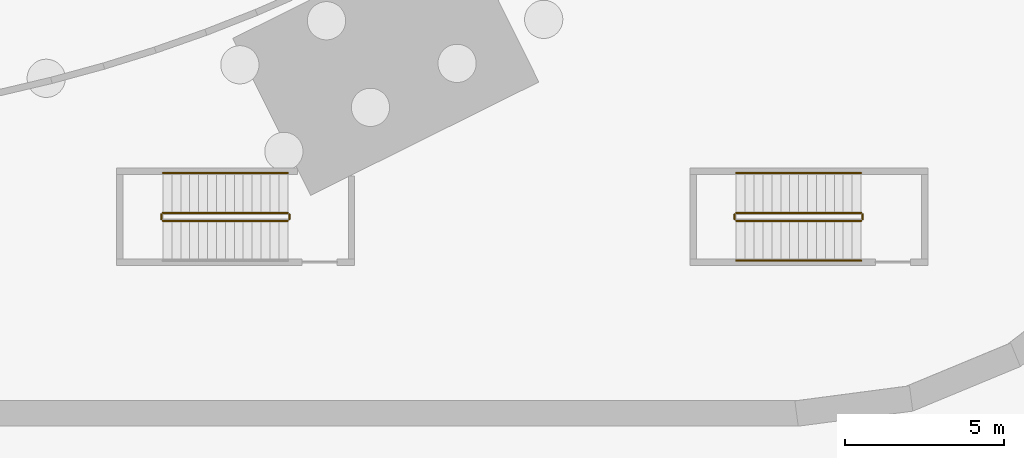
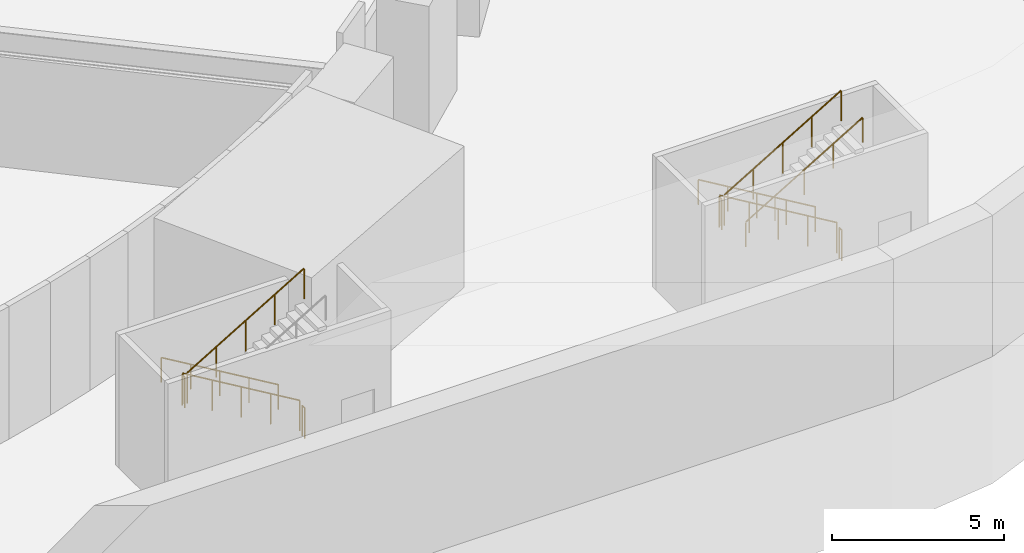
# One storey, part 11 of 14: 11 railings.
"""IFC4 building model written with IfcOpenShell, lengths in metres."""

from ifc_helpers import new_model, si_unit, direction, frame, origin, origin_2d, place, context, subcontext, project, spatial, circle, extrude, source, transform, mapped, material, type_object, element, save


model = new_model("IFC4")

# Units and contexts
model_context = context("Model", 3, precision=1e-05, world=origin(), true_north=direction((0.0, 1.0)))
body_context = subcontext(model_context, "Body", "Model", "MODEL_VIEW")
ifc_project = project(units=[si_unit("LENGTHUNIT", "METRE"), si_unit("AREAUNIT", "SQUARE_METRE"), si_unit("VOLUMEUNIT", "CUBIC_METRE"), si_unit("PLANEANGLEUNIT", "RADIAN"), si_unit("MASSUNIT", "GRAM", prefix="KILO")], contexts=[model_context])

# Site, building, storey
site_placement = place(None, origin())
site = spatial("IfcSite", under=ifc_project, at=site_placement, CompositionType="ELEMENT")
building_placement = place(site_placement, origin())
building = spatial("IfcBuilding", under=site, at=building_placement, Name="Embergate Tower", CompositionType="ELEMENT")
storey_placement = place(building_placement, frame((0.0, 0.0, -10.0)))
storey = spatial("IfcBuildingStorey", under=building, at=storey_placement, Name="B2", CompositionType="ELEMENT", Elevation=-10.0)

# Railings
ifc_material = material(Name="Steel", Category="steel")
railing_type_1 = type_object("IfcRailingType", Name="Exit stair guard 1100", PredefinedType="GUARDRAIL", material=ifc_material)
shared_shape_1 = source(origin(), body_context, "Body", "SweptSolid", [
    extrude(circle(Radius=0.02392578125, at=origin_2d()), frame((0.0, 0.0, 1.076171875), z_axis=(0.0, -1.0, 0.0), x_axis=(1.0, 0.0, 0.0)), (0.0, 0.0, 1.0), 0.14990234375),
    extrude(circle(Radius=0.02099609375, at=origin_2d()), origin(), (0.0, 0.0, 1.0), 1.052001953125),
    extrude(circle(Radius=0.02099609375, at=origin_2d()), frame((0.0, -0.14990234375, 0.0)), (0.0, 0.0, 1.0), 1.052001953125),
])
for number, where, name in (
    (1, (16.030029296875, -33.35009765625, 2.5), "B2 XS3 stair guard 2"),
    (2, (20.050048828125, -33.35009765625, 0.0), "B2 XS3 stair guard 4"),
    (3, (34.030029296875, -33.35009765625, 2.5), "B2 XS4 stair guard 2"),
    (4, (38.050048828125, -33.35009765625, 0.0), "B2 XS4 stair guard 4"),
):
    element("IfcRailing", number, at=place(storey_placement, frame(where)), inside=storey, type_object=railing_type_1, Name=name, PredefinedType="GUARDRAIL", context=body_context, shape_type="MappedRepresentation", body=[
        mapped(shared_shape_1, transform((0.0, 0.0, 0.0))),
    ])
shared_shape_2 = source(origin(), body_context, "Body", "SweptSolid", [
    extrude(circle(Radius=0.02392578125, at=origin_2d()), frame((0.0, 0.0, 1.076171875), z_axis=(0.859296244711, 0.0, 0.511478214419), x_axis=(0.0, 1.0, 0.0)), (0.0, 0.0, 1.0), 4.561767578125),
    extrude(circle(Radius=0.02099609375, at=origin_2d()), origin(), (0.0, 0.0, 1.0), 1.052001953125),
    extrude(circle(Radius=0.02099609375, at=origin_2d()), frame((0.97998046875, 0.0, 0.583251953125)), (0.0, 0.0, 1.0), 1.052001953125),
    extrude(circle(Radius=0.02099609375, at=origin_2d()), frame((1.9599609375, 0.0, 1.16650390625)), (0.0, 0.0, 1.0), 1.052001953125),
    extrude(circle(Radius=0.02099609375, at=origin_2d()), frame((2.93994140625, 0.0, 1.75)), (0.0, 0.0, 1.0), 1.052001953125),
    extrude(circle(Radius=0.02099609375, at=origin_2d()), frame((3.919921875, 0.0, 2.333251953125)), (0.0, 0.0, 1.0), 1.052001953125),
])
for number, where, name in (
    (5, (16.080078125, -33.550048828125, 2.666748046875), "B2 XS3 stair guard 3"),
    (6, (34.080078125, -33.550048828125, 2.666748046875), "B2 XS4 stair guard 3"),
):
    element("IfcRailing", number, at=place(storey_placement, frame(where)), inside=storey, type_object=railing_type_1, Name=name, PredefinedType="GUARDRAIL", context=body_context, shape_type="MappedRepresentation", body=[
        mapped(shared_shape_2, transform((0.0, 0.0, 0.0))),
    ])
shared_shape_3 = source(origin(), body_context, "Body", "SweptSolid", [
    extrude(circle(Radius=0.02392578125, at=origin_2d()), frame((0.0, 0.0, 1.076171875), z_axis=(-0.859296244711, 0.0, 0.511478214419), x_axis=(0.0, -1.0, 0.0)), (0.0, 0.0, 1.0), 4.561767578125),
    extrude(circle(Radius=0.02099609375, at=origin_2d()), origin(), (0.0, 0.0, 1.0), 1.052001953125),
    extrude(circle(Radius=0.02099609375, at=origin_2d()), frame((-0.97998046875, 0.0, 0.583251953125)), (0.0, 0.0, 1.0), 1.052001953125),
    extrude(circle(Radius=0.02099609375, at=origin_2d()), frame((-1.9599609375, 0.0, 1.16650390625)), (0.0, 0.0, 1.0), 1.052001953125),
    extrude(circle(Radius=0.02099609375, at=origin_2d()), frame((-2.93994140625, 0.0, 1.75)), (0.0, 0.0, 1.0), 1.052001953125),
    extrude(circle(Radius=0.02099609375, at=origin_2d()), frame((-3.919921875, 0.0, 2.333251953125)), (0.0, 0.0, 1.0), 1.052001953125),
])
for number, where, name in (
    (7, (20.0, -33.300048828125, 0.166748046875), "B2 XS3 stair guard 1"),
    (8, (38.0, -33.300048828125, 0.166748046875), "B2 XS4 stair guard 1"),
):
    element("IfcRailing", number, at=place(storey_placement, frame(where)), inside=storey, type_object=railing_type_1, Name=name, PredefinedType="GUARDRAIL", context=body_context, shape_type="MappedRepresentation", body=[
        mapped(shared_shape_3, transform((0.0, 0.0, 0.0))),
    ])
railing_type_2 = type_object("IfcRailingType", Name="Exit stair handrail 900", PredefinedType="HANDRAIL", material=ifc_material)
shared_shape_4 = source(origin(), body_context, "Body", "SweptSolid", [
    extrude(circle(Radius=0.02392578125, at=origin_2d()), frame((0.0, 0.0, 0.8759765625), z_axis=(0.859296244711, 0.0, 0.511478214419), x_axis=(0.0, 1.0, 0.0)), (0.0, 0.0, 1.0), 4.561767578125),
    extrude(circle(Radius=0.02099609375, at=origin_2d()), origin(), (0.0, 0.0, 1.0), 0.851806640625),
    extrude(circle(Radius=0.02099609375, at=origin_2d()), frame((0.97998046875, 0.0, 0.583251953125)), (0.0, 0.0, 1.0), 0.851806640625),
    extrude(circle(Radius=0.02099609375, at=origin_2d()), frame((1.9599609375, 0.0, 1.16650390625)), (0.0, 0.0, 1.0), 0.851806640625),
    extrude(circle(Radius=0.02099609375, at=origin_2d()), frame((2.93994140625, 0.0, 1.75)), (0.0, 0.0, 1.0), 0.851806640625),
    extrude(circle(Radius=0.02099609375, at=origin_2d()), frame((3.919921875, 0.0, 2.333251953125)), (0.0, 0.0, 1.0), 0.851806640625),
])
railing_placement = place(storey_placement, frame((34.080078125, -34.800048828125, 2.666748046875)))
element("IfcRailing", 9, at=railing_placement, inside=storey, type_object=railing_type_2, Name="B2 XS4 stair handrail 2", PredefinedType="HANDRAIL", context=body_context, shape_type="MappedRepresentation", body=[
    mapped(shared_shape_4, transform((0.0, 0.0, 0.0))),
])
shared_shape_5 = source(origin(), body_context, "Body", "SweptSolid", [
    extrude(circle(Radius=0.02392578125, at=origin_2d()), frame((0.0, 0.0, 0.8759765625), z_axis=(-0.859296244711, 0.0, 0.511478214419), x_axis=(0.0, -1.0, 0.0)), (0.0, 0.0, 1.0), 4.561767578125),
    extrude(circle(Radius=0.02099609375, at=origin_2d()), origin(), (0.0, 0.0, 1.0), 0.851806640625),
    extrude(circle(Radius=0.02099609375, at=origin_2d()), frame((-0.97998046875, 0.0, 0.583251953125)), (0.0, 0.0, 1.0), 0.851806640625),
    extrude(circle(Radius=0.02099609375, at=origin_2d()), frame((-1.9599609375, 0.0, 1.16650390625)), (0.0, 0.0, 1.0), 0.851806640625),
    extrude(circle(Radius=0.02099609375, at=origin_2d()), frame((-2.93994140625, 0.0, 1.75)), (0.0, 0.0, 1.0), 0.851806640625),
    extrude(circle(Radius=0.02099609375, at=origin_2d()), frame((-3.919921875, 0.0, 2.333251953125)), (0.0, 0.0, 1.0), 0.851806640625),
])
for number, where, name in (
    (10, (20.0, -32.050048828125, 0.166748046875), "B2 XS3 stair handrail 1"),
    (11, (38.0, -32.050048828125, 0.166748046875), "B2 XS4 stair handrail 1"),
):
    element("IfcRailing", number, at=place(storey_placement, frame(where)), inside=storey, type_object=railing_type_2, Name=name, PredefinedType="HANDRAIL", context=body_context, shape_type="MappedRepresentation", body=[
        mapped(shared_shape_5, transform((0.0, 0.0, 0.0))),
    ])

save(model, "model.ifc")
